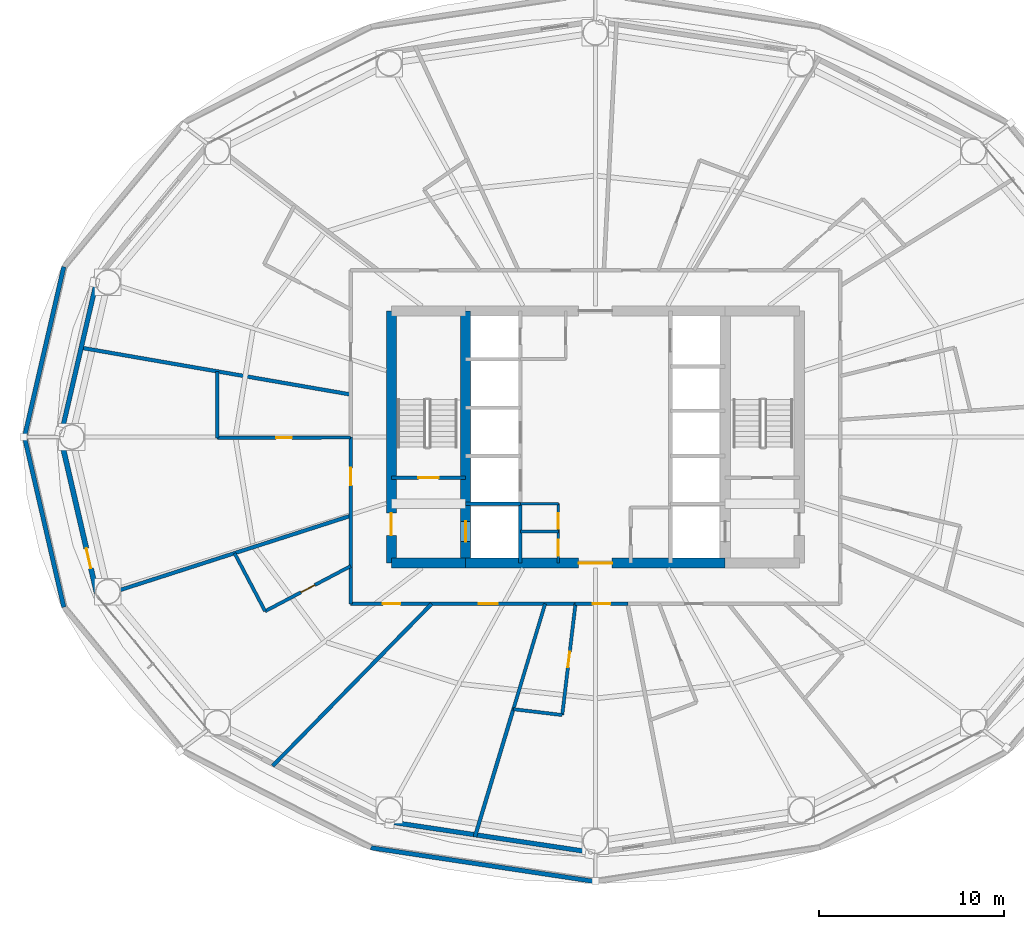
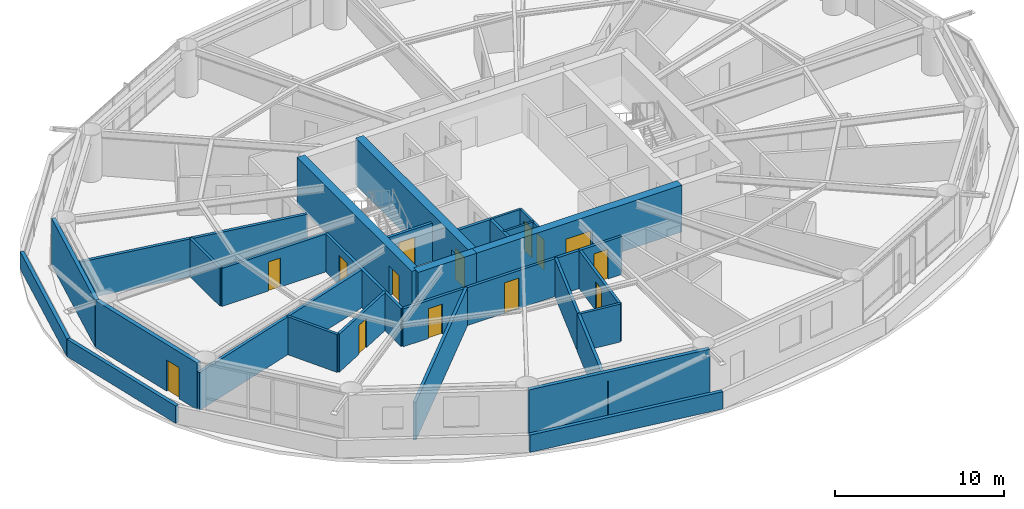
# One storey, part 19 of 25: 30 walls, 14 doors, 14 openings.
"""IFC4 building model written with IfcOpenShell, lengths in metres."""

from ifc_helpers import new_model, si_unit, direction, frame, frame_2d, origin, place, context, subcontext, project, spatial, rectangle, extrude, material, layer, layer_set, type_object, element, fill, save


model = new_model("IFC4")

# Units and contexts
model_context = context("Model", 3, precision=1e-05, world=origin(), true_north=direction((0.0, 1.0)))
body_context = subcontext(model_context, "Body", "Model", "MODEL_VIEW")
ifc_project = project(units=[si_unit("LENGTHUNIT", "METRE"), si_unit("AREAUNIT", "SQUARE_METRE"), si_unit("VOLUMEUNIT", "CUBIC_METRE"), si_unit("PLANEANGLEUNIT", "RADIAN"), si_unit("MASSUNIT", "GRAM", prefix="KILO")], contexts=[model_context])

# Site, building, storey
site_placement = place(None, origin())
site = spatial("IfcSite", under=ifc_project, at=site_placement, CompositionType="ELEMENT")
building_placement = place(site_placement, origin())
building = spatial("IfcBuilding", under=site, at=building_placement, Name="Sarneth Arch Tower", CompositionType="ELEMENT")
storey_placement = place(building_placement, frame((0.0, 0.0, 84.0)))
storey = spatial("IfcBuildingStorey", under=building, at=storey_placement, Name="L20", CompositionType="ELEMENT", Elevation=84.0)

# Wall
ifc_material_1 = material(Name="Concrete C60/75", Category="concrete")
ifc_layer_1 = layer(ifc_material_1, 0.550048828125)
ifc_layer_set_1 = layer_set([ifc_layer_1], Name="Concrete C60/75")
wall_type_1 = type_object("IfcWallType", Name="WALL-CORE-550", PredefinedType="SHEAR", material=ifc_layer_set_1)
wall_1_placement = place(storey_placement, frame((37.0, 35.199951171875, 0.0), z_axis=(0.0, 0.0, 1.0), x_axis=(1.0, 0.0, 0.0)))
element("IfcWall", 1, at=wall_1_placement, inside=storey, type_object=wall_type_1, Name="L20 Core shear wall S-W", PredefinedType="SHEAR", context=body_context, shape_type="SweptSolid", body=[
    extrude(rectangle(XDim=4.0, YDim=0.550048828125, at=frame_2d((2.0, 0.0))), origin(), (0.0, 0.0, 1.0), 3.3798828125),
])

# Wall, opening, door
wall_2_placement = place(storey_placement, frame((41.0, 35.199951171875, 0.0), z_axis=(0.0, 0.0, 1.0), x_axis=(1.0, 0.0, 0.0)))
wall_2 = element("IfcWall", 2, at=wall_2_placement, inside=storey, type_object=wall_type_1, Name="L20 Core shear wall S-M", PredefinedType="SHEAR", context=body_context, shape_type="SweptSolid", body=[
    extrude(rectangle(XDim=14.0, YDim=0.550048828125, at=frame_2d((7.0, 0.0))), origin(), (0.0, 0.0, 1.0), 3.3798828125),
])
opening_1_placement = place(wall_2_placement, frame((6.10009765625, 0.0, 0.0)))
opening_1 = element("IfcOpeningElement", 3, at=opening_1_placement, cuts=wall_2, Name="Opening FD-01", PredefinedType="OPENING", context=body_context, shape_type="SweptSolid", body=[
    extrude(rectangle(XDim=1.800048828125, YDim=2.25, at=frame_2d((0.89990234375, 1.125))), frame((0.0, 0.284912109375, 0.0), z_axis=(0.0, -1.0, 0.0), x_axis=(1.0, 0.0, 0.0)), (0.0, 0.0, 1.0), 0.570068359375),
])
ifc_material_2 = material(Name="Galvanised Steel S275 fire door set", Category="steel")
door_type_1 = type_object("IfcDoorType", Name="DR-FD90-1800", OperationType="DOUBLE_DOOR_SINGLE_SWING", PredefinedType="DOOR", material=ifc_material_2)
door_1_placement = place(opening_1_placement, origin())
door_1 = element("IfcDoor", 4, at=door_1_placement, inside=storey, type_object=door_type_1, Name="L20 Central lift lobby south door", OperationType="DOUBLE_DOOR_SINGLE_SWING", OverallHeight=2.25, OverallWidth=1.800048828125, PredefinedType="DOOR", context=body_context, shape_type="SweptSolid", body=[
    extrude(rectangle(XDim=1.800048828125, YDim=2.25, at=frame_2d((0.89990234375, 1.125))), frame((0.0, 0.02490234375, 0.0), z_axis=(0.0, -1.0, 0.0), x_axis=(1.0, 0.0, 0.0)), (0.0, 0.0, 1.0), 0.050048828125),
])
fill(opening_1, door_1)

wall_3_placement = place(storey_placement, frame((37.0, 35.199951171875, 0.0), z_axis=(0.0, 0.0, 1.0), x_axis=(0.0, 1.0, 0.0)))
wall_3 = element("IfcWall", 5, at=wall_3_placement, inside=storey, type_object=wall_type_1, Name="L20 Core shear wall W", PredefinedType="SHEAR", context=body_context, shape_type="SweptSolid", body=[
    extrude(rectangle(XDim=13.60009765625, YDim=0.550048828125, at=frame_2d((6.800048828125, 0.0))), origin(), (0.0, 0.0, 1.0), 3.3798828125),
])
opening_2_placement = place(wall_3_placement, frame((1.5, 0.0, 0.0)))
opening_2 = element("IfcOpeningElement", 6, at=opening_2_placement, cuts=wall_3, Name="Opening FD-02", PredefinedType="OPENING", context=body_context, shape_type="SweptSolid", body=[
    extrude(rectangle(XDim=1.199951171875, YDim=2.14990234375, at=frame_2d((0.60009765625, 1.074951171875))), frame((0.0, 0.284912109375, 0.0), z_axis=(0.0, -1.0, 0.0), x_axis=(1.0, 0.0, 0.0)), (0.0, 0.0, 1.0), 0.570068359375),
])
ifc_material_3 = material(Name="Galvanised Steel S275 fire door set", Category="steel")
door_type_2 = type_object("IfcDoorType", Name="DR-FD90-1200", OperationType="SINGLE_SWING_LEFT", PredefinedType="DOOR", material=ifc_material_3)
door_2_placement = place(opening_2_placement, origin())
door_2 = element("IfcDoor", 7, at=door_2_placement, inside=storey, type_object=door_type_2, Name="L20 Firefighting lobby 1 exit door", OperationType="SINGLE_SWING_LEFT", OverallHeight=2.14990234375, OverallWidth=1.199951171875, PredefinedType="DOOR", context=body_context, shape_type="SweptSolid", body=[
    extrude(rectangle(XDim=1.199951171875, YDim=2.14990234375, at=frame_2d((0.60009765625, 1.074951171875))), frame((0.0, 0.02490234375, 0.0), z_axis=(0.0, -1.0, 0.0), x_axis=(1.0, 0.0, 0.0)), (0.0, 0.0, 1.0), 0.050048828125),
])
fill(opening_2, door_2)

wall_4_placement = place(storey_placement, frame((41.0, 35.199951171875, 0.0), z_axis=(0.0, 0.0, 1.0), x_axis=(0.0, 1.0, 0.0)))
wall_4 = element("IfcWall", 8, at=wall_4_placement, inside=storey, type_object=wall_type_1, Name="L20 Core shear wall WEB-W", PredefinedType="SHEAR", context=body_context, shape_type="SweptSolid", body=[
    extrude(rectangle(XDim=13.60009765625, YDim=0.550048828125, at=frame_2d((6.800048828125, 0.0))), origin(), (0.0, 0.0, 1.0), 3.3798828125),
])
opening_3_placement = place(wall_4_placement, frame((1.14990234375, 0.0, 0.0)))
opening_3 = element("IfcOpeningElement", 9, at=opening_3_placement, cuts=wall_4, Name="Opening LD-1", PredefinedType="OPENING", context=body_context, shape_type="SweptSolid", body=[
    extrude(rectangle(XDim=1.10009765625, YDim=2.199951171875, at=frame_2d((0.550048828125, 1.10009765625))), frame((0.0, 0.284912109375, 0.0), z_axis=(0.0, -1.0, 0.0), x_axis=(1.0, 0.0, 0.0)), (0.0, 0.0, 1.0), 0.570068359375),
])
ifc_material_4 = material(Name="Brushed Stainless Steel 304 lift landing door", Category="steel")
door_type_3 = type_object("IfcDoorType", Name="DR-LIFT-SLIDE-1100", OperationType="SLIDING_TO_LEFT", PredefinedType="DOOR", material=ifc_material_4)
door_3_placement = place(opening_3_placement, origin())
door_3 = element("IfcDoor", 10, at=door_3_placement, inside=storey, type_object=door_type_3, Name="L20 Firefighting lift landing door FL-1", OperationType="SLIDING_TO_LEFT", OverallHeight=2.199951171875, OverallWidth=1.10009765625, PredefinedType="DOOR", context=body_context, shape_type="SweptSolid", body=[
    extrude(rectangle(XDim=1.10009765625, YDim=2.199951171875, at=frame_2d((0.550048828125, 1.10009765625))), frame((0.0, 0.02490234375, 0.0), z_axis=(0.0, -1.0, 0.0), x_axis=(1.0, 0.0, 0.0)), (0.0, 0.0, 1.0), 0.050048828125),
])
fill(opening_3, door_3)

# Wall, openings, doors
ifc_material_5 = material(Name="Double steel-stud corridor fire wall", Category="steel")
ifc_layer_2 = layer(ifc_material_5, 0.18994140625)
ifc_layer_set_2 = layer_set([ifc_layer_2], Name="Double steel-stud corridor fire wall")
wall_type_2 = type_object("IfcWallType", Name="WALL-CORR-190", PredefinedType="PARTITIONING", material=ifc_layer_set_2)
wall_5_placement = place(storey_placement, frame((46.958984375, 33.0, 0.0), z_axis=(0.0, 0.0, 1.0), x_axis=(-1.0, 0.0, 0.0)))
wall_5 = element("IfcWall", 11, at=wall_5_placement, inside=storey, type_object=wall_type_2, Name="L20 Interior partition W-L20-TP-019", PredefinedType="PARTITIONING", context=body_context, shape_type="SweptSolid", body=[
    extrude(rectangle(XDim=12.158935546875, YDim=0.18994140625, at=frame_2d((6.07958984375, 0.0))), origin(), (0.0, 0.0, 1.0), 2.739990234375),
])
opening_4_placement = place(wall_5_placement, frame((4.23681640625, 0.0, 0.0)))
opening_4 = element("IfcOpeningElement", 12, at=opening_4_placement, cuts=wall_5, Name="Opening FD-08", PredefinedType="OPENING", context=body_context, shape_type="SweptSolid", body=[
    extrude(rectangle(XDim=1.0, YDim=2.199951171875, at=frame_2d((0.5, 1.10009765625))), frame((0.0, 0.10498046875, 0.0), z_axis=(0.0, -1.0, 0.0), x_axis=(1.0, 0.0, 0.0)), (0.0, 0.0, 1.0), 0.2099609375),
])
opening_5_placement = place(wall_5_placement, frame((9.477783203125, 0.0, 0.0)))
opening_5 = element("IfcOpeningElement", 13, at=opening_5_placement, cuts=wall_5, Name="Opening FD-09", PredefinedType="OPENING", context=body_context, shape_type="SweptSolid", body=[
    extrude(rectangle(XDim=0.949951171875, YDim=2.14990234375, at=frame_2d((0.47509765625, 1.074951171875))), frame((0.0, 0.10498046875, 0.0), z_axis=(0.0, -1.0, 0.0), x_axis=(1.0, 0.0, 0.0)), (0.0, 0.0, 1.0), 0.2099609375),
])
ifc_material_6 = material(Name="Hardwood timber acoustic fire door", Category="wood")
door_type_4 = type_object("IfcDoorType", Name="DR-FD60-1000", OperationType="SINGLE_SWING_LEFT", PredefinedType="DOOR", material=ifc_material_6)
door_4_placement = place(opening_4_placement, origin())
door_4 = element("IfcDoor", 14, at=door_4_placement, inside=storey, type_object=door_type_4, Name="L20 Interior door DR-L20-AMN-09", OperationType="SINGLE_SWING_LEFT", OverallHeight=2.199951171875, OverallWidth=1.0, PredefinedType="DOOR", context=body_context, shape_type="SweptSolid", body=[
    extrude(rectangle(XDim=1.0, YDim=2.199951171875, at=frame_2d((0.5, 1.10009765625))), frame((0.0, 0.02490234375, 0.0), z_axis=(0.0, -1.0, 0.0), x_axis=(1.0, 0.0, 0.0)), (0.0, 0.0, 1.0), 0.050048828125),
])
fill(opening_4, door_4)
ifc_material_7 = material(Name="Hardwood timber hotel entrance fire door", Category="wood")
door_type_5 = type_object("IfcDoorType", Name="DR-FD60-950", OperationType="SINGLE_SWING_RIGHT", PredefinedType="DOOR", material=ifc_material_7)
door_5_placement = place(opening_5_placement, origin())
door_5 = element("IfcDoor", 15, at=door_5_placement, inside=storey, type_object=door_type_5, Name="L20 Interior door DR-L20-KEY-08", OperationType="SINGLE_SWING_RIGHT", OverallHeight=2.14990234375, OverallWidth=0.949951171875, PredefinedType="DOOR", context=body_context, shape_type="SweptSolid", body=[
    extrude(rectangle(XDim=0.949951171875, YDim=2.14990234375, at=frame_2d((0.47509765625, 1.074951171875))), frame((0.0, 0.02490234375, 0.0), z_axis=(0.0, -1.0, 0.0), x_axis=(1.0, 0.0, 0.0)), (0.0, 0.0, 1.0), 0.050048828125),
])
fill(opening_5, door_5)

# Wall, opening, door
wall_6_placement = place(storey_placement, frame((34.800048828125, 33.0, 0.0), z_axis=(0.0, 0.0, 1.0), x_axis=(0.0, 1.0, 0.0)))
wall_6 = element("IfcWall", 16, at=wall_6_placement, inside=storey, type_object=wall_type_2, Name="L20 Interior partition W-L20-TP-014", PredefinedType="PARTITIONING", context=body_context, shape_type="SweptSolid", body=[
    extrude(rectangle(XDim=9.003662109375, YDim=0.18994140625, at=frame_2d((4.501953125, 0.0))), origin(), (0.0, 0.0, 1.0), 2.739990234375),
])
opening_6_placement = place(wall_6_placement, frame((6.385009765625, 0.0, 0.0)))
opening_6 = element("IfcOpeningElement", 17, at=opening_6_placement, cuts=wall_6, Name="Opening FD-09", PredefinedType="OPENING", context=body_context, shape_type="SweptSolid", body=[
    extrude(rectangle(XDim=0.949951171875, YDim=2.14990234375, at=frame_2d((0.47509765625, 1.074951171875))), frame((0.0, 0.10498046875, 0.0), z_axis=(0.0, -1.0, 0.0), x_axis=(1.0, 0.0, 0.0)), (0.0, 0.0, 1.0), 0.2099609375),
])
door_6_placement = place(opening_6_placement, origin())
door_6 = element("IfcDoor", 18, at=door_6_placement, inside=storey, type_object=door_type_5, Name="L20 Interior door DR-L20-KEY-07", OperationType="SINGLE_SWING_RIGHT", OverallHeight=2.14990234375, OverallWidth=0.949951171875, PredefinedType="DOOR", context=body_context, shape_type="SweptSolid", body=[
    extrude(rectangle(XDim=0.949951171875, YDim=2.14990234375, at=frame_2d((0.47509765625, 1.074951171875))), frame((0.0, 0.02490234375, 0.0), z_axis=(0.0, -1.0, 0.0), x_axis=(1.0, 0.0, 0.0)), (0.0, 0.0, 1.0), 0.050048828125),
])
fill(opening_6, door_6)

wall_7_placement = place(storey_placement, frame((49.76953125, 33.0, 0.0), z_axis=(0.0, 0.0, 1.0), x_axis=(-1.0, 0.0, 0.0)))
wall_7 = element("IfcWall", 19, at=wall_7_placement, inside=storey, type_object=wall_type_2, Name="L20 Interior partition W-L20-TP-020", PredefinedType="PARTITIONING", context=body_context, shape_type="SweptSolid", body=[
    extrude(rectangle(XDim=2.875, YDim=0.18994140625, at=frame_2d((1.4375, 0.0))), origin(), (0.0, 0.0, 1.0), 2.739990234375),
])
opening_7_placement = place(wall_7_placement, frame((0.96240234375, 0.0, 0.0)))
opening_7 = element("IfcOpeningElement", 20, at=opening_7_placement, cuts=wall_7, Name="Opening FD-09", PredefinedType="OPENING", context=body_context, shape_type="SweptSolid", body=[
    extrude(rectangle(XDim=0.949951171875, YDim=2.14990234375, at=frame_2d((0.47509765625, 1.074951171875))), frame((0.0, 0.10498046875, 0.0), z_axis=(0.0, -1.0, 0.0), x_axis=(1.0, 0.0, 0.0)), (0.0, 0.0, 1.0), 0.2099609375),
])
door_7_placement = place(opening_7_placement, origin())
door_7 = element("IfcDoor", 21, at=door_7_placement, inside=storey, type_object=door_type_5, Name="L20 Interior door DR-L20-KEY-10", OperationType="SINGLE_SWING_RIGHT", OverallHeight=2.14990234375, OverallWidth=0.949951171875, PredefinedType="DOOR", context=body_context, shape_type="SweptSolid", body=[
    extrude(rectangle(XDim=0.949951171875, YDim=2.14990234375, at=frame_2d((0.47509765625, 1.074951171875))), frame((0.0, 0.02490234375, 0.0), z_axis=(0.0, -1.0, 0.0), x_axis=(1.0, 0.0, 0.0)), (0.0, 0.0, 1.0), 0.050048828125),
])
fill(opening_7, door_7)

# Walls
ifc_material_8 = material(Name="Extruded terracotta rainscreen on Concrete C40/50 backing", Category="masonry")
ifc_layer_3 = layer(ifc_material_8, 0.25)
ifc_layer_set_3 = layer_set([ifc_layer_3], Name="Extruded terracotta rainscreen on Concrete C40/50 backing")
wall_type_3 = type_object("IfcWallType", Name="WALL-EXT-SPAND-250", PredefinedType="SOLIDWALL", material=ifc_layer_set_3)
wall_8_placement = place(storey_placement, frame((21.138671875, 50.58349609375, 0.0), z_axis=(0.0, 0.0, 1.0), x_axis=(-0.22558597182, -0.974223264616, 0.0)))
element("IfcWall", 22, at=wall_8_placement, inside=storey, type_object=wall_type_3, Name="L20 Terracotta perimeter wall 08", PredefinedType="SOLIDWALL", context=body_context, shape_type="SweptSolid", body=[
    extrude(rectangle(XDim=8.810546875, YDim=0.25, at=frame_2d((4.4052734375, 0.0))), origin(), (0.0, 0.0, 1.0), 3.3798828125),
])
wall_9_placement = place(storey_placement, frame((36.648681640625, 21.27734375, 0.0), z_axis=(0.0, 0.0, 1.0), x_axis=(0.988877774656, -0.148730450117, 0.0)))
element("IfcWall", 23, at=wall_9_placement, inside=storey, type_object=wall_type_3, Name="L20 Terracotta perimeter wall 12", PredefinedType="SOLIDWALL", context=body_context, shape_type="SweptSolid", body=[
    extrude(rectangle(XDim=11.47900390625, YDim=0.25, at=frame_2d((5.739501953125, 0.0))), origin(), (0.0, 0.0, 1.0), 3.3798828125),
])

# Wall, opening, door
ifc_material_9 = material(Name="Extruded terracotta rainscreen on Concrete C40/50 backing", Category="masonry")
ifc_layer_4 = layer(ifc_material_9, 0.280029296875)
ifc_layer_set_4 = layer_set([ifc_layer_4], Name="Extruded terracotta rainscreen on Concrete C40/50 backing")
wall_type_4 = type_object("IfcWallType", Name="WALL-EXT-TERRA-280", PredefinedType="SOLIDWALL", material=ifc_layer_set_4)
wall_10_placement = place(storey_placement, frame((19.151123046875, 42.0, 0.0), z_axis=(0.0, 0.0, 1.0), x_axis=(0.22558597182, -0.974223264616, 0.0)))
wall_10 = element("IfcWall", 24, at=wall_10_placement, inside=storey, type_object=wall_type_4, Name="L20 Terracotta perimeter wall 09", PredefinedType="SOLIDWALL", context=body_context, shape_type="SweptSolid", body=[
    extrude(rectangle(XDim=8.810546875, YDim=0.280029296875, at=frame_2d((4.4052734375, 0.0))), origin(), (0.0, 0.0, 1.0), 3.3798828125),
])
opening_8_placement = place(wall_10_placement, frame((6.174560546875, 0.0, 0.0)))
opening_8 = element("IfcOpeningElement", 25, at=opening_8_placement, cuts=wall_10, Name="Opening BD-3", PredefinedType="OPENING", context=body_context, shape_type="SweptSolid", body=[
    extrude(rectangle(XDim=1.10009765625, YDim=2.25, at=frame_2d((0.550048828125, 1.125))), frame((0.0, 0.14990234375, 0.0), z_axis=(0.0, -1.0, 0.0), x_axis=(1.0, 0.0, 0.0)), (0.0, 0.0, 1.0), 0.300048828125),
])
ifc_material_10 = material(Name="Thermally broken Aluminium 6063-T6 and laminated safety glass", Category="aluminium")
door_type_6 = type_object("IfcDoorType", Name="DR-BALC-GLZ-1100", OperationType="SINGLE_SWING_LEFT", PredefinedType="DOOR", material=ifc_material_10)
door_8_placement = place(opening_8_placement, origin())
door_8 = element("IfcDoor", 26, at=door_8_placement, inside=storey, type_object=door_type_6, Name="L20 Maintenance roof access door 09", OperationType="SINGLE_SWING_LEFT", OverallHeight=2.25, OverallWidth=1.10009765625, PredefinedType="DOOR", context=body_context, shape_type="SweptSolid", body=[
    extrude(rectangle(XDim=1.10009765625, YDim=2.25, at=frame_2d((0.550048828125, 1.125))), frame((0.0, 0.02490234375, 0.0), z_axis=(0.0, -1.0, 0.0), x_axis=(1.0, 0.0, 0.0)), (0.0, 0.0, 1.0), 0.050048828125),
])
fill(opening_8, door_8)

# Walls
ifc_material_11 = material(Name="Extruded terracotta rainscreen on Concrete C40/50 backing", Category="masonry")
ifc_layer_5 = layer(ifc_material_11, 0.239990234375)
ifc_layer_set_5 = layer_set([ifc_layer_5], Name="Extruded terracotta rainscreen on Concrete C40/50 backing")
wall_type_5 = type_object("IfcWallType", Name="WALL-PARAPET-240", PredefinedType="PARAPET", material=ifc_layer_set_5)
for number, where, z_axis, x_axis, name in (
    (27, (19.32861328125, 51.1767578125, 0.0), (0.0, 0.0, 1.0), (-0.225249461705, -0.974301123884, 0.0), "L20 Setback roof parapet 08"),
    (28, (17.20703125, 42.0, 0.0), (0.0, 0.0, 1.0), (0.225249461705, -0.974301123884, 0.0), "L20 Setback roof parapet 09"),
):
    element("IfcWall", number, at=place(storey_placement, frame(where, z_axis=z_axis, x_axis=x_axis)), inside=storey, type_object=wall_type_5, Name=name, PredefinedType="PARAPET", context=body_context, shape_type="SweptSolid", body=[
        extrude(rectangle(XDim=9.418701171875, YDim=0.239990234375, at=frame_2d((4.70947265625, 0.0))), origin(), (0.0, 0.0, 1.0), 1.25),
    ])
wall_11_placement = place(storey_placement, frame((35.8837890625, 19.845458984375, 0.0), z_axis=(0.0, 0.0, 1.0), x_axis=(0.988840272251, -0.148979582406, 0.0)))
element("IfcWall", 29, at=wall_11_placement, inside=storey, type_object=wall_type_5, Name="L20 Setback roof parapet 12", PredefinedType="PARAPET", context=body_context, shape_type="SweptSolid", body=[
    extrude(rectangle(XDim=12.2529296875, YDim=0.239990234375, at=frame_2d((6.12646484375, 0.0))), origin(), (0.0, 0.0, 1.0), 1.25),
])
ifc_material_12 = material(Name="Acoustic gypsum stud partition", Category="gypsum")
ifc_layer_6 = layer(ifc_material_12, 0.14990234375)
ifc_layer_set_6 = layer_set([ifc_layer_6], Name="Acoustic gypsum stud partition")
wall_type_6 = type_object("IfcWallType", Name="WALL-PART-150", PredefinedType="PARTITIONING", material=ifc_layer_set_6)
for number, where, z_axis, x_axis, name in (
    (30, (43.949951171875, 36.89990234375, 0.0), (0.0, 0.0, 1.0), (1.0, 0.0, 0.0), "L20 Interior partition W-L20-CSUP-M"),
    (31, (43.949951171875, 38.39990234375, 0.0), (0.0, 0.0, 1.0), (1.0, 0.0, 0.0), "L20 Interior partition W-L20-CSUP-N"),
):
    element("IfcWall", number, at=place(storey_placement, frame(where, z_axis=z_axis, x_axis=x_axis)), inside=storey, type_object=wall_type_6, Name=name, PredefinedType="PARTITIONING", context=body_context, shape_type="SweptSolid", body=[
        extrude(rectangle(XDim=2.050048828125, YDim=0.14990234375, at=frame_2d((1.02490234375, 0.0))), origin(), (0.0, 0.0, 1.0), 2.739990234375),
    ])

# Wall, openings, doors
wall_12_placement = place(storey_placement, frame((46.0, 35.199951171875, 0.0), z_axis=(0.0, 0.0, 1.0), x_axis=(0.0, 1.0, 0.0)))
wall_12 = element("IfcWall", 32, at=wall_12_placement, inside=storey, type_object=wall_type_6, Name="L20 Interior partition W-L20-CSUP-E", PredefinedType="PARTITIONING", context=body_context, shape_type="SweptSolid", body=[
    extrude(rectangle(XDim=3.199951171875, YDim=0.14990234375, at=frame_2d((1.60009765625, 0.0))), origin(), (0.0, 0.0, 1.0), 2.739990234375),
])
opening_9_placement = place(wall_12_placement, frame((0.39990234375, 0.0, 0.0)))
opening_9 = element("IfcOpeningElement", 33, at=opening_9_placement, cuts=wall_12, Name="Opening FD-11", PredefinedType="OPENING", context=body_context, shape_type="SweptSolid", body=[
    extrude(rectangle(XDim=0.85009765625, YDim=2.14990234375, at=frame_2d((0.425048828125, 1.074951171875))), frame((0.0, 0.0849609375, 0.0), z_axis=(0.0, -1.0, 0.0), x_axis=(1.0, 0.0, 0.0)), (0.0, 0.0, 1.0), 0.169921875),
])
opening_10_placement = place(wall_12_placement, frame((1.85009765625, 0.0, 0.0)))
opening_10 = element("IfcOpeningElement", 34, at=opening_10_placement, cuts=wall_12, Name="Opening FD-11", PredefinedType="OPENING", context=body_context, shape_type="SweptSolid", body=[
    extrude(rectangle(XDim=0.85009765625, YDim=2.14990234375, at=frame_2d((0.425048828125, 1.074951171875))), frame((0.0, 0.0849609375, 0.0), z_axis=(0.0, -1.0, 0.0), x_axis=(1.0, 0.0, 0.0)), (0.0, 0.0, 1.0), 0.169921875),
])
ifc_material_13 = material(Name="Galvanised Steel S275 closet fire door", Category="steel")
door_type_7 = type_object("IfcDoorType", Name="DR-FD60-850", OperationType="SINGLE_SWING_LEFT", PredefinedType="DOOR", material=ifc_material_13)
door_9_placement = place(opening_9_placement, origin())
door_9 = element("IfcDoor", 35, at=door_9_placement, inside=storey, type_object=door_type_7, Name="L20 Interior door DR-L20-CSUP1", OperationType="SINGLE_SWING_LEFT", OverallHeight=2.14990234375, OverallWidth=0.85009765625, PredefinedType="DOOR", context=body_context, shape_type="SweptSolid", body=[
    extrude(rectangle(XDim=0.85009765625, YDim=2.14990234375, at=frame_2d((0.425048828125, 1.074951171875))), frame((0.0, 0.02490234375, 0.0), z_axis=(0.0, -1.0, 0.0), x_axis=(1.0, 0.0, 0.0)), (0.0, 0.0, 1.0), 0.050048828125),
])
fill(opening_9, door_9)
door_10_placement = place(opening_10_placement, origin())
door_10 = element("IfcDoor", 36, at=door_10_placement, inside=storey, type_object=door_type_7, Name="L20 Interior door DR-L20-CSUP2", OperationType="SINGLE_SWING_RIGHT", OverallHeight=2.14990234375, OverallWidth=0.85009765625, PredefinedType="DOOR", context=body_context, shape_type="SweptSolid", body=[
    extrude(rectangle(XDim=0.85009765625, YDim=2.14990234375, at=frame_2d((0.425048828125, 1.074951171875))), frame((0.0, 0.02490234375, 0.0), z_axis=(0.0, -1.0, 0.0), x_axis=(1.0, 0.0, 0.0)), (0.0, 0.0, 1.0), 0.050048828125),
])
fill(opening_10, door_10)

# Wall, opening, door
ifc_material_14 = material(Name="Moisture-resistant plumbing chase wall", Category="gypsum")
ifc_layer_7 = layer(ifc_material_14, 0.179931640625)
ifc_layer_set_7 = layer_set([ifc_layer_7], Name="Moisture-resistant plumbing chase wall")
wall_type_7 = type_object("IfcWallType", Name="WALL-PLUMB-180", PredefinedType="PLUMBINGWALL", material=ifc_layer_set_7)
wall_13_placement = place(storey_placement, frame((27.604248046875, 41.956298828125, 0.0), z_axis=(0.0, 0.0, 1.0), x_axis=(0.999997715604, 0.002137472216, 0.0)))
wall_13 = element("IfcWall", 37, at=wall_13_placement, inside=storey, type_object=wall_type_7, Name="L20 Interior partition W-L20-TP-053", PredefinedType="PLUMBINGWALL", context=body_context, shape_type="SweptSolid", body=[
    extrude(rectangle(XDim=7.19580078125, YDim=0.179931640625, at=frame_2d((3.597900390625, 0.0))), origin(), (0.0, 0.0, 1.0), 2.739990234375),
])
opening_11_placement = place(wall_13_placement, frame((3.1728515625, 0.0, 0.0)))
opening_11 = element("IfcOpeningElement", 38, at=opening_11_placement, cuts=wall_13, Name="Opening ID-02", PredefinedType="OPENING", context=body_context, shape_type="SweptSolid", body=[
    extrude(rectangle(XDim=0.85009765625, YDim=2.10009765625, at=frame_2d((0.425048828125, 1.050048828125))), frame((0.0, 0.099853515625, 0.0), z_axis=(0.0, -1.0, 0.0), x_axis=(1.0, 0.0, 0.0)), (0.0, 0.0, 1.0), 0.199951171875),
])
ifc_material_15 = material(Name="Moisture-resistant bathroom timber door", Category="wood")
door_type_8 = type_object("IfcDoorType", Name="DR-INT-850", OperationType="SINGLE_SWING_RIGHT", PredefinedType="DOOR", material=ifc_material_15)
door_11_placement = place(opening_11_placement, origin())
door_11 = element("IfcDoor", 39, at=door_11_placement, inside=storey, type_object=door_type_8, Name="L20 Interior door DR-L20-ENS-07", OperationType="SINGLE_SWING_RIGHT", OverallHeight=2.10009765625, OverallWidth=0.85009765625, PredefinedType="DOOR", context=body_context, shape_type="SweptSolid", body=[
    extrude(rectangle(XDim=0.85009765625, YDim=2.10009765625, at=frame_2d((0.425048828125, 1.050048828125))), frame((0.0, 0.02490234375, 0.0), z_axis=(0.0, -1.0, 0.0), x_axis=(1.0, 0.0, 0.0)), (0.0, 0.0, 1.0), 0.050048828125),
])
fill(opening_11, door_11)

wall_14_placement = place(storey_placement, frame((46.9267578125, 33.0, 0.0), z_axis=(0.0, 0.0, 1.0), x_axis=(-0.118379942802, -0.99296837268, 0.0)))
wall_14 = element("IfcWall", 40, at=wall_14_placement, inside=storey, type_object=wall_type_7, Name="L20 Interior partition W-L20-TP-061", PredefinedType="PLUMBINGWALL", context=body_context, shape_type="SweptSolid", body=[
    extrude(rectangle(XDim=6.03857421875, YDim=0.179931640625, at=frame_2d((3.019287109375, 0.0))), origin(), (0.0, 0.0, 1.0), 2.739990234375),
])
opening_12_placement = place(wall_14_placement, frame((2.59423828125, 0.0, 0.0)))
opening_12 = element("IfcOpeningElement", 41, at=opening_12_placement, cuts=wall_14, Name="Opening ID-02", PredefinedType="OPENING", context=body_context, shape_type="SweptSolid", body=[
    extrude(rectangle(XDim=0.85009765625, YDim=2.10009765625, at=frame_2d((0.425048828125, 1.050048828125))), frame((0.0, 0.099853515625, 0.0), z_axis=(0.0, -1.0, 0.0), x_axis=(1.0, 0.0, 0.0)), (0.0, 0.0, 1.0), 0.199951171875),
])
door_12_placement = place(opening_12_placement, origin())
door_12 = element("IfcDoor", 42, at=door_12_placement, inside=storey, type_object=door_type_8, Name="L20 Interior door DR-L20-ENS-10", OperationType="SINGLE_SWING_LEFT", OverallHeight=2.10009765625, OverallWidth=0.85009765625, PredefinedType="DOOR", context=body_context, shape_type="SweptSolid", body=[
    extrude(rectangle(XDim=0.85009765625, YDim=2.10009765625, at=frame_2d((0.425048828125, 1.050048828125))), frame((0.0, 0.02490234375, 0.0), z_axis=(0.0, -1.0, 0.0), x_axis=(1.0, 0.0, 0.0)), (0.0, 0.0, 1.0), 0.050048828125),
])
fill(opening_12, door_12)

# Wall
wall_15_placement = place(storey_placement, frame((43.575927734375, 27.318359375, 0.0), z_axis=(0.0, 0.0, 1.0), x_axis=(0.288532873685, 0.957469989505, 0.0)))
element("IfcWall", 43, at=wall_15_placement, inside=storey, type_object=wall_type_7, Name="L20 Interior partition W-L20-TP-060", PredefinedType="PLUMBINGWALL", context=body_context, shape_type="SweptSolid", body=[
    extrude(rectangle(XDim=5.93408203125, YDim=0.179931640625, at=frame_2d((2.967041015625, 0.0))), origin(), (0.0, 0.0, 1.0), 2.739990234375),
])

# Wall, opening, door
wall_16_placement = place(storey_placement, frame((30.18701171875, 32.602294921875, 0.0), z_axis=(0.0, 0.0, 1.0), x_axis=(0.884469007168, 0.466598944877, 0.0)))
wall_16 = element("IfcWall", 44, at=wall_16_placement, inside=storey, type_object=wall_type_7, Name="L20 Interior partition W-L20-TP-057", PredefinedType="PLUMBINGWALL", context=body_context, shape_type="SweptSolid", body=[
    extrude(rectangle(XDim=5.215576171875, YDim=0.179931640625, at=frame_2d((2.60791015625, 0.0))), origin(), (0.0, 0.0, 1.0), 2.739990234375),
])
opening_13_placement = place(wall_16_placement, frame((2.182861328125, 0.0, 0.0)))
opening_13 = element("IfcOpeningElement", 45, at=opening_13_placement, cuts=wall_16, Name="Opening ID-02", PredefinedType="OPENING", context=body_context, shape_type="SweptSolid", body=[
    extrude(rectangle(XDim=0.85009765625, YDim=2.10009765625, at=frame_2d((0.425048828125, 1.050048828125))), frame((0.0, 0.099853515625, 0.0), z_axis=(0.0, -1.0, 0.0), x_axis=(1.0, 0.0, 0.0)), (0.0, 0.0, 1.0), 0.199951171875),
])
door_13_placement = place(opening_13_placement, origin())
door_13 = element("IfcDoor", 46, at=door_13_placement, inside=storey, type_object=door_type_8, Name="L20 Interior door DR-L20-ENS-08", OperationType="SINGLE_SWING_RIGHT", OverallHeight=2.10009765625, OverallWidth=0.85009765625, PredefinedType="DOOR", context=body_context, shape_type="SweptSolid", body=[
    extrude(rectangle(XDim=0.85009765625, YDim=2.10009765625, at=frame_2d((0.425048828125, 1.050048828125))), frame((0.0, 0.02490234375, 0.0), z_axis=(0.0, -1.0, 0.0), x_axis=(1.0, 0.0, 0.0)), (0.0, 0.0, 1.0), 0.050048828125),
])
fill(opening_13, door_13)

# Walls
wall_17_placement = place(storey_placement, frame((27.596435546875, 45.541259765625, 0.0), z_axis=(0.0, 0.0, 1.0), x_axis=(0.002179237538, -0.999997625459, 0.0)))
element("IfcWall", 47, at=wall_17_placement, inside=storey, type_object=wall_type_7, Name="L20 Interior partition W-L20-TP-052", PredefinedType="PLUMBINGWALL", context=body_context, shape_type="SweptSolid", body=[
    extrude(rectangle(XDim=3.5849609375, YDim=0.179931640625, at=frame_2d((1.79248046875, 0.0))), origin(), (0.0, 0.0, 1.0), 2.739990234375),
])
wall_18_placement = place(storey_placement, frame((28.53515625, 35.733154296875, 0.0), z_axis=(0.0, 0.0, 1.0), x_axis=(0.466638742987, -0.884448010651, 0.0)))
element("IfcWall", 48, at=wall_18_placement, inside=storey, type_object=wall_type_7, Name="L20 Interior partition W-L20-TP-056", PredefinedType="PLUMBINGWALL", context=body_context, shape_type="SweptSolid", body=[
    extrude(rectangle(XDim=3.539794921875, YDim=0.179931640625, at=frame_2d((1.77001953125, 0.0))), origin(), (0.0, 0.0, 1.0), 2.739990234375),
])
wall_19_placement = place(storey_placement, frame((46.2119140625, 27.00390625, 0.0), z_axis=(0.0, 0.0, 1.0), x_axis=(-0.992959714657, 0.118452543529, 0.0)))
element("IfcWall", 49, at=wall_19_placement, inside=storey, type_object=wall_type_7, Name="L20 Interior partition W-L20-TP-062", PredefinedType="PLUMBINGWALL", context=body_context, shape_type="SweptSolid", body=[
    extrude(rectangle(XDim=2.65478515625, YDim=0.179931640625, at=frame_2d((1.327392578125, 0.0))), origin(), (0.0, 0.0, 1.0), 2.739990234375),
])

# Wall, opening, door
ifc_material_16 = material(Name="Aerated concrete blockwork C25/30", Category="masonry")
ifc_layer_8 = layer(ifc_material_16, 0.199951171875)
ifc_layer_set_8 = layer_set([ifc_layer_8], Name="Aerated concrete blockwork C25/30")
wall_type_8 = type_object("IfcWallType", Name="WALL-SHAFT-200", PredefinedType="SOLIDWALL", material=ifc_layer_set_8)
wall_20_placement = place(storey_placement, frame((37.0, 39.800048828125, 0.0), z_axis=(0.0, 0.0, 1.0), x_axis=(1.0, 0.0, 0.0)))
wall_20 = element("IfcWall", 50, at=wall_20_placement, inside=storey, type_object=wall_type_8, Name="L20 Interior partition W-L20-ST1-S", PredefinedType="SOLIDWALL", context=body_context, shape_type="SweptSolid", body=[
    extrude(rectangle(XDim=4.0, YDim=0.199951171875, at=frame_2d((2.0, 0.0))), origin(), (0.0, 0.0, 1.0), 2.739990234375),
])
opening_14_placement = place(wall_20_placement, frame((1.449951171875, 0.0, 0.0)))
opening_14 = element("IfcOpeningElement", 51, at=opening_14_placement, cuts=wall_20, Name="Opening FD-03", PredefinedType="OPENING", context=body_context, shape_type="SweptSolid", body=[
    extrude(rectangle(XDim=1.10009765625, YDim=2.14990234375, at=frame_2d((0.550048828125, 1.074951171875))), frame((0.0, 0.10986328125, 0.0), z_axis=(0.0, -1.0, 0.0), x_axis=(1.0, 0.0, 0.0)), (0.0, 0.0, 1.0), 0.219970703125),
])
ifc_material_17 = material(Name="Galvanised Steel S275 fire door set", Category="steel")
door_type_9 = type_object("IfcDoorType", Name="DR-FD90-1100", OperationType="SINGLE_SWING_LEFT", PredefinedType="DOOR", material=ifc_material_17)
door_14_placement = place(opening_14_placement, origin())
door_14 = element("IfcDoor", 52, at=door_14_placement, inside=storey, type_object=door_type_9, Name="L20 Interior door DR-L20-ST1", OperationType="SINGLE_SWING_LEFT", OverallHeight=2.14990234375, OverallWidth=1.10009765625, PredefinedType="DOOR", context=body_context, shape_type="SweptSolid", body=[
    extrude(rectangle(XDim=1.10009765625, YDim=2.14990234375, at=frame_2d((0.550048828125, 1.074951171875))), frame((0.0, 0.02490234375, 0.0), z_axis=(0.0, -1.0, 0.0), x_axis=(1.0, 0.0, 0.0)), (0.0, 0.0, 1.0), 0.050048828125),
])
fill(opening_14, door_14)

# Walls
wall_21_placement = place(storey_placement, frame((43.949951171875, 35.199951171875, 0.0), z_axis=(0.0, 0.0, 1.0), x_axis=(0.0, 1.0, 0.0)))
element("IfcWall", 53, at=wall_21_placement, inside=storey, type_object=wall_type_8, Name="L20 Interior partition W-L20-FL1-E", PredefinedType="SOLIDWALL", context=body_context, shape_type="SweptSolid", body=[
    extrude(rectangle(XDim=3.199951171875, YDim=0.199951171875, at=frame_2d((1.60009765625, 0.0))), origin(), (0.0, 0.0, 1.0), 2.739990234375),
])
wall_22_placement = place(storey_placement, frame((41.0, 38.39990234375, 0.0), z_axis=(0.0, 0.0, 1.0), x_axis=(1.0, 0.0, 0.0)))
element("IfcWall", 54, at=wall_22_placement, inside=storey, type_object=wall_type_8, Name="L20 Interior partition W-L20-FL1-N", PredefinedType="SOLIDWALL", context=body_context, shape_type="SweptSolid", body=[
    extrude(rectangle(XDim=2.949951171875, YDim=0.199951171875, at=frame_2d((1.47509765625, 0.0))), origin(), (0.0, 0.0, 1.0), 2.739990234375),
])
ifc_material_18 = material(Name="Double steel-stud acoustic drywall", Category="steel")
ifc_layer_9 = layer(ifc_material_18, 0.199951171875)
ifc_layer_set_9 = layer_set([ifc_layer_9], Name="Double steel-stud acoustic drywall")
wall_type_9 = type_object("IfcWallType", Name="WALL-UNIT-200", PredefinedType="PARTITIONING", material=ifc_layer_set_9)
wall_23_placement = place(storey_placement, frame((39.16748046875, 33.0, 0.0), z_axis=(0.0, 0.0, 1.0), x_axis=(-0.700440086719, -0.713711205542, 0.0)))
element("IfcWall", 55, at=wall_23_placement, inside=storey, type_object=wall_type_9, Name="L20 Interior partition W-L20-TP-058", PredefinedType="PARTITIONING", context=body_context, shape_type="SweptSolid", body=[
    extrude(rectangle(XDim=12.251953125, YDim=0.199951171875, at=frame_2d((6.1259765625, 0.0))), origin(), (0.0, 0.0, 1.0), 2.739990234375),
])
wall_24_placement = place(storey_placement, frame((34.800048828125, 37.750244140625, 0.0), z_axis=(0.0, 0.0, 1.0), x_axis=(-0.951880556228, -0.306469258939, 0.0)))
element("IfcWall", 56, at=wall_24_placement, inside=storey, type_object=wall_type_9, Name="L20 Interior partition W-L20-TP-054", PredefinedType="PARTITIONING", context=body_context, shape_type="SweptSolid", body=[
    extrude(rectangle(XDim=14.427734375, YDim=0.199951171875, at=frame_2d((7.2138671875, 0.0))), origin(), (0.0, 0.0, 1.0), 2.739990234375),
])
wall_25_placement = place(storey_placement, frame((34.800048828125, 44.291015625, 0.0), z_axis=(0.0, 0.0, 1.0), x_axis=(-0.985271938133, 0.170994759944, 0.0)))
element("IfcWall", 57, at=wall_25_placement, inside=storey, type_object=wall_type_9, Name="L20 Interior partition W-L20-TP-050", PredefinedType="PARTITIONING", context=body_context, shape_type="SweptSolid", body=[
    extrude(rectangle(XDim=14.87158203125, YDim=0.199951171875, at=frame_2d((7.435791015625, 0.0))), origin(), (0.0, 0.0, 1.0), 2.739990234375),
])
wall_26_placement = place(storey_placement, frame((41.49951171875, 20.427490234375, 0.0), z_axis=(0.0, 0.0, 1.0), x_axis=(0.288514746458, 0.957475451944, 0.0)))
element("IfcWall", 58, at=wall_26_placement, inside=storey, type_object=wall_type_9, Name="L20 Interior partition W-L20-TP-059", PredefinedType="PARTITIONING", context=body_context, shape_type="SweptSolid", body=[
    extrude(rectangle(XDim=7.197021484375, YDim=0.199951171875, at=frame_2d((3.5986328125, 0.0))), origin(), (0.0, 0.0, 1.0), 2.739990234375),
])

save(model, "model.ifc")
